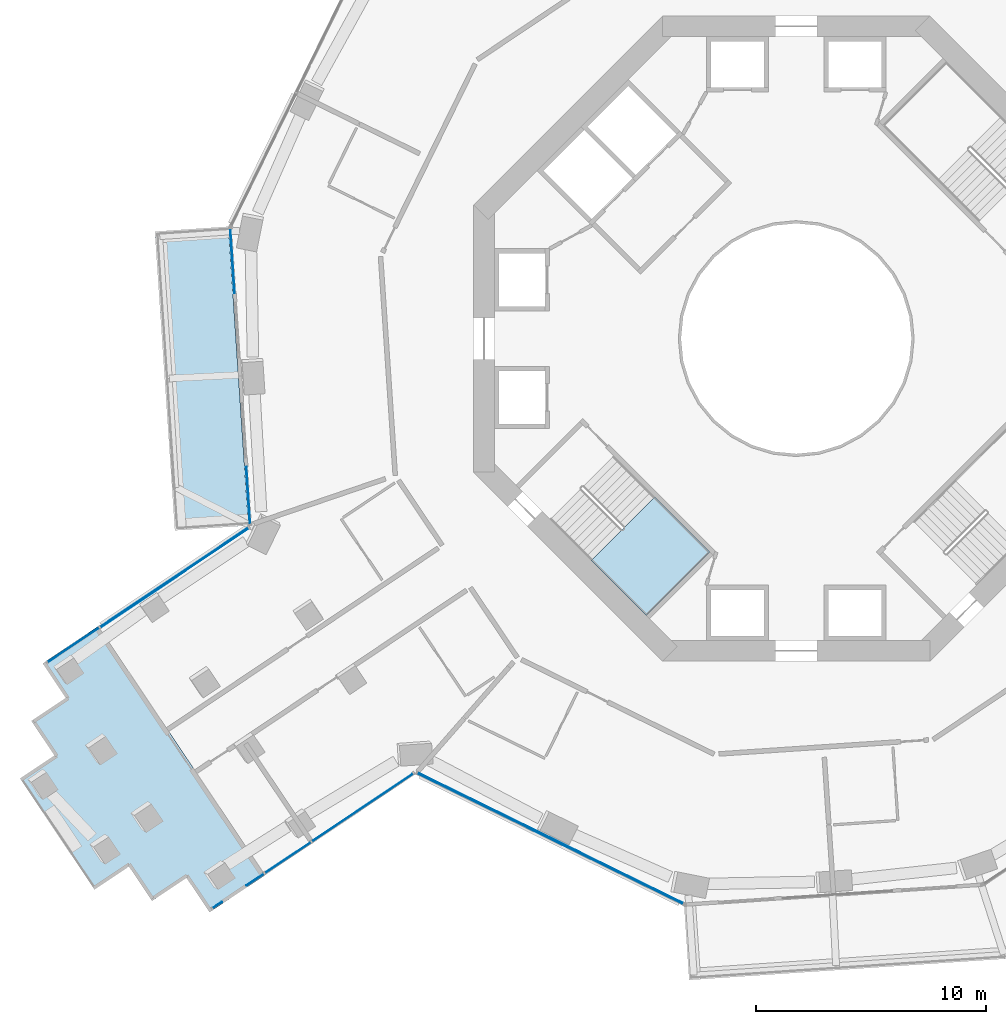
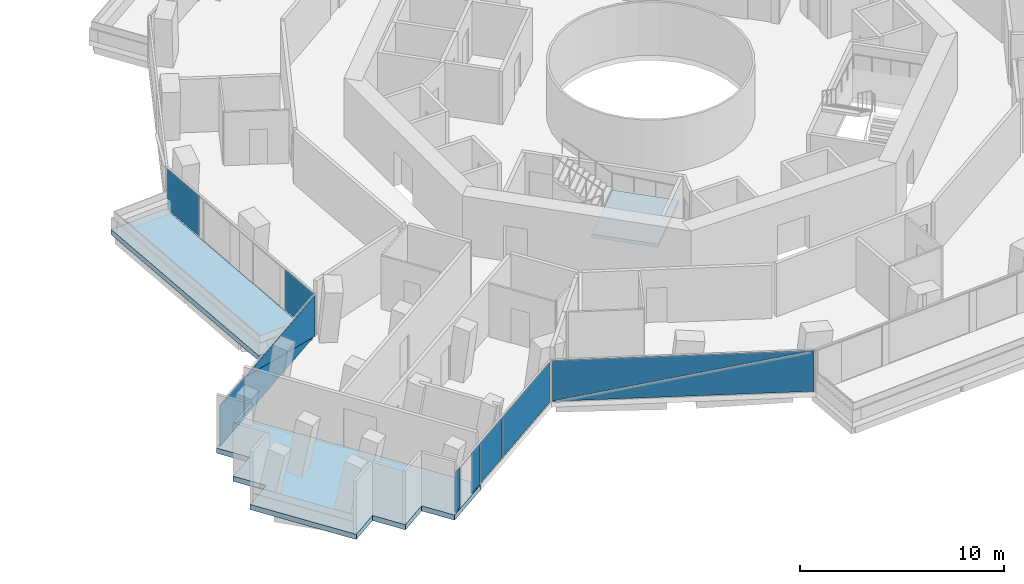
# One storey, part 13 of 25: 11 plates, 3 slabs, 5 elements without a shape of their own.
"""IFC4 building model written with IfcOpenShell, lengths in metres."""

from ifc_helpers import new_model, si_unit, direction, frame, origin, origin_2d, place, context, subcontext, project, spatial, polyline, rectangle, outline, extrude, material, layer, layer_set, type_object, element, aggregate, save


model = new_model("IFC4")

# Units and contexts
model_context = context("Model", 3, precision=1e-05, world=origin(), true_north=direction((0.0, 1.0)))
body_context = subcontext(model_context, "Body", "Model", "MODEL_VIEW")
ifc_project = project(units=[si_unit("LENGTHUNIT", "METRE"), si_unit("AREAUNIT", "SQUARE_METRE"), si_unit("VOLUMEUNIT", "CUBIC_METRE"), si_unit("PLANEANGLEUNIT", "RADIAN"), si_unit("MASSUNIT", "GRAM", prefix="KILO")], contexts=[model_context])

# Site, building, storey
site_placement = place(None, origin())
site = spatial("IfcSite", under=ifc_project, at=site_placement, CompositionType="ELEMENT")
building_placement = place(site_placement, origin())
building = spatial("IfcBuilding", under=site, at=building_placement, Name="Verdalira Terraces Hotel", CompositionType="ELEMENT")
storey_placement = place(building_placement, frame((0.0, 0.0, 49.5)))
storey = spatial("IfcBuildingStorey", under=building, at=storey_placement, Name="L10", CompositionType="ELEMENT", Elevation=49.5)

# Slab
ifc_material_1 = material(Name="Precast concrete C40/50", Category="concrete")
ifc_layer_1 = layer(ifc_material_1, 0.31005859375)
ifc_layer_set_1 = layer_set([ifc_layer_1], Name="Balcony deck 310")
slab_type_1 = type_object("IfcSlabType", Name="Balcony deck 310", PredefinedType="FLOOR", material=ifc_layer_set_1)
slab_1_placement = place(storey_placement, frame((0.0, 0.0, -0.310059)))
element("IfcSlab", 1, at=slab_1_placement, inside=storey, type_object=slab_type_1, Name="Balcony deck", PredefinedType="FLOOR", context=body_context, shape_type="SweptSolid", body=[
    extrude(outline(polyline([(-26.961426, -8.324219), (-23.768555, -8.110107), (-24.63916, 4.86084), (-27.832031, 4.646484), (-26.961426, -8.324219)])), origin(), (0.0, 0.0, 1.0), 0.310059),
])

# Curtain wall, plates
ifc_material_2 = material(Name="Clear glass", Category="glass")
ifc_layer_2 = layer(ifc_material_2, 0.14990234375)
ifc_layer_set_2 = layer_set([ifc_layer_2], Name="CW1 curtain wall")
curtain_wall_type_1 = type_object("IfcCurtainWallType", Name="CW1 curtain wall", PredefinedType="NOTDEFINED", material=ifc_layer_set_2)
curtain_wall_1_placement = place(storey_placement, origin())
curtain_wall_1 = element("IfcCurtainWall", 2, at=curtain_wall_1_placement, inside=storey, type_object=curtain_wall_type_1, Name="CW1 curtain wall L10 edge 13", PredefinedType="NOTDEFINED")
ifc_material_3 = material(Name="Clear glass", Category="glass")
ifc_layer_3 = layer(ifc_material_3, 0.028076171875)
ifc_layer_set_3 = layer_set([ifc_layer_3], Name="CW1 glass unit 28")
plate_type_1 = type_object("IfcPlateType", Name="CW1 glass unit 28", PredefinedType="CURTAIN_PANEL", material=ifc_layer_set_3)
plate_1_placement = place(storey_placement, frame((-24.463867, 3.369141, 0.0), z_axis=(0.0, 0.0, 1.0), x_axis=(0.066970481, -0.997754957, 0.0)))
plate_1 = element("IfcPlate", 3, at=plate_1_placement, type_object=plate_type_1, Name="CW1 glass unit", PredefinedType="CURTAIN_PANEL", context=body_context, shape_type="SweptSolid", body=[
    extrude(rectangle(XDim=2.799805, YDim=0.028076, at=origin_2d()), origin(), (0.0, 0.0, 1.0), 2.425049),
])
plate_2_placement = place(storey_placement, frame((-23.780762, -6.808105, 0.0), z_axis=(0.0, 0.0, 1.0), x_axis=(0.066970481, -0.997754957, 0.0)))
plate_2 = element("IfcPlate", 4, at=plate_2_placement, type_object=plate_type_1, Name="CW1 glass unit", PredefinedType="CURTAIN_PANEL", context=body_context, shape_type="SweptSolid", body=[
    extrude(rectangle(XDim=2.479492, YDim=0.028076, at=origin_2d()), origin(), (0.0, 0.0, 1.0), 2.425049),
])
aggregate(curtain_wall_1, [plate_1, plate_2])

curtain_wall_2_placement = place(storey_placement, origin())
curtain_wall_2 = element("IfcCurtainWall", 5, at=curtain_wall_2_placement, inside=storey, type_object=curtain_wall_type_1, Name="CW1 curtain wall L10 edge 25", PredefinedType="NOTDEFINED")
plate_3_placement = place(storey_placement, frame((-10.673828, -21.68457, 1.212402), z_axis=(-0.440879341, -0.89756638, 0.0), x_axis=(0.89756638, -0.440879341, 0.0)))
plate_3 = element("IfcPlate", 6, at=plate_3_placement, type_object=plate_type_1, Name="CW1 glass unit", PredefinedType="CURTAIN_PANEL", context=body_context, shape_type="SweptSolid", body=[
    extrude(outline(polyline([(-6.419922, -1.212402), (6.419922, -1.212402), (6.419922, 1.212402), (-6.419922, -1.212402)])), origin(), (0.0, 0.0, 1.0), 0.028076),
])
plate_4_placement = place(storey_placement, frame((-10.660889, -21.658691, 1.212402), z_axis=(-0.440879341, -0.89756638, 0.0), x_axis=(0.89756638, -0.440879341, 0.0)))
plate_4 = element("IfcPlate", 7, at=plate_4_placement, type_object=plate_type_1, Name="CW1 glass unit", PredefinedType="CURTAIN_PANEL", context=body_context, shape_type="SweptSolid", body=[
    extrude(outline(polyline([(-6.419922, -1.212402), (6.419922, 1.212402), (-6.419922, 1.212402), (-6.419922, -1.212402)])), origin(), (0.0, 0.0, 1.0), 0.028076),
])
aggregate(curtain_wall_2, [plate_3, plate_4])

ifc_material_4 = material(Name="Clear glass", Category="glass")
ifc_layer_4 = layer(ifc_material_4, 0.14990234375)
ifc_layer_set_4 = layer_set([ifc_layer_4], Name="CW2 curtain wall")
curtain_wall_type_2 = type_object("IfcCurtainWallType", Name="CW2 curtain wall", PredefinedType="NOTDEFINED", material=ifc_layer_set_4)
curtain_wall_3_placement = place(storey_placement, origin())
curtain_wall_3 = element("IfcCurtainWall", 8, at=curtain_wall_3_placement, inside=storey, type_object=curtain_wall_type_2, Name="CW2 curtain wall L10 edge 14", PredefinedType="NOTDEFINED")
ifc_material_5 = material(Name="Clear glass", Category="glass")
ifc_layer_5 = layer(ifc_material_5, 0.031982421875)
ifc_layer_set_5 = layer_set([ifc_layer_5], Name="CW2 glass unit 32")
plate_type_2 = type_object("IfcPlateType", Name="CW2 glass unit 32", PredefinedType="CURTAIN_PANEL", material=ifc_layer_set_5)
plate_5_placement = place(storey_placement, frame((-26.984131, -10.375244, 1.212402), z_axis=(-0.556875616, 0.830595899, 0.0), x_axis=(-0.830595899, -0.556875616, 0.0)))
plate_5 = element("IfcPlate", 9, at=plate_5_placement, type_object=plate_type_2, Name="CW2 glass unit", PredefinedType="CURTAIN_PANEL", context=body_context, shape_type="SweptSolid", body=[
    extrude(outline(polyline([(-3.862305, -1.212402), (3.862305, -1.212402), (3.862305, 1.212402), (-3.862305, -1.212402)])), origin(), (0.0, 0.0, 1.0), 0.031982),
])
plate_6_placement = place(storey_placement, frame((-26.965576, -10.402832, 1.212402), z_axis=(-0.556875616, 0.830595899, 0.0), x_axis=(-0.830595899, -0.556875616, 0.0)))
plate_6 = element("IfcPlate", 10, at=plate_6_placement, type_object=plate_type_2, Name="CW2 glass unit", PredefinedType="CURTAIN_PANEL", context=body_context, shape_type="SweptSolid", body=[
    extrude(outline(polyline([(-3.862305, -1.212402), (3.862305, 1.212402), (-3.862305, 1.212402), (-3.862305, -1.212402)])), origin(), (0.0, 0.0, 1.0), 0.031982),
])
plate_7_placement = place(storey_placement, frame((-31.365967, -13.293945, 0.0), z_axis=(0.0, 0.0, 1.0), x_axis=(-0.830595899, -0.556875616, 0.0)))
plate_7 = element("IfcPlate", 11, at=plate_7_placement, type_object=plate_type_2, Name="CW2 glass unit", PredefinedType="CURTAIN_PANEL", context=body_context, shape_type="SweptSolid", body=[
    extrude(rectangle(XDim=2.665039, YDim=0.031982, at=origin_2d()), origin(), (0.0, 0.0, 1.0), 2.425049),
])
aggregate(curtain_wall_3, [plate_5, plate_6, plate_7])

curtain_wall_4_placement = place(storey_placement, origin())
curtain_wall_4 = element("IfcCurtainWall", 12, at=curtain_wall_4_placement, inside=storey, type_object=curtain_wall_type_2, Name="CW2 curtain wall L10 edge 24", PredefinedType="NOTDEFINED")
plate_8_placement = place(storey_placement, frame((-25.117432, -24.575439, 0.0), z_axis=(0.0, 0.0, 1.0), x_axis=(0.830595899, 0.556875616, 0.0)))
plate_8 = element("IfcPlate", 13, at=plate_8_placement, type_object=plate_type_2, Name="CW2 glass unit", PredefinedType="CURTAIN_PANEL", context=body_context, shape_type="SweptSolid", body=[
    extrude(rectangle(XDim=0.47998, YDim=0.031982, at=origin_2d()), origin(), (0.0, 0.0, 1.0), 2.425049),
])
plate_9_placement = place(storey_placement, frame((-23.477783, -23.476318, 0.0), z_axis=(0.0, 0.0, 1.0), x_axis=(0.830595899, 0.556875616, 0.0)))
plate_9 = element("IfcPlate", 14, at=plate_9_placement, type_object=plate_type_2, Name="CW2 glass unit", PredefinedType="CURTAIN_PANEL", context=body_context, shape_type="SweptSolid", body=[
    extrude(rectangle(XDim=0.9021, YDim=0.031982, at=origin_2d()), origin(), (0.0, 0.0, 1.0), 2.425049),
])
plate_10_placement = place(storey_placement, frame((-22.054688, -22.521973, 0.0), z_axis=(0.0, 0.0, 1.0), x_axis=(0.830595899, 0.556875616, 0.0)))
plate_10 = element("IfcPlate", 15, at=plate_10_placement, type_object=plate_type_2, Name="CW2 glass unit", PredefinedType="CURTAIN_PANEL", context=body_context, shape_type="SweptSolid", body=[
    extrude(rectangle(XDim=2.384766, YDim=0.031982, at=origin_2d()), origin(), (0.0, 0.0, 1.0), 2.425049),
])
plate_11_placement = place(storey_placement, frame((-18.817627, -20.351807, 0.0), z_axis=(0.0, 0.0, 1.0), x_axis=(0.830595899, 0.556875616, 0.0)))
plate_11 = element("IfcPlate", 16, at=plate_11_placement, type_object=plate_type_2, Name="CW2 glass unit", PredefinedType="CURTAIN_PANEL", context=body_context, shape_type="SweptSolid", body=[
    extrude(rectangle(XDim=5.269775, YDim=0.031982, at=origin_2d()), origin(), (0.0, 0.0, 1.0), 2.425049),
])
aggregate(curtain_wall_4, [plate_8, plate_9, plate_10, plate_11])

# Stair, slab
ifc_material_6 = material(Name="Concrete C40", Category="concrete")
stair_type = type_object("IfcStairType", Name="Core stair 20 risers 1900 mm wide", PredefinedType="HALF_TURN_STAIR", material=ifc_material_6)
stair_placement = place(storey_placement, origin())
stair = element("IfcStair", 17, at=stair_placement, inside=storey, type_object=stair_type, Name="L10 Exit stair ST2", PredefinedType="HALF_TURN_STAIR")
ifc_material_7 = material(Name="Concrete C40", Category="concrete")
ifc_layer_6 = layer(ifc_material_7, 0.199951171875)
ifc_layer_set_6 = layer_set([ifc_layer_6], Name="Core stair landing 200 mm")
slab_type_2 = type_object("IfcSlabType", Name="Core stair landing 200 mm", PredefinedType="LANDING", material=ifc_layer_set_6)
slab_2_placement = place(storey_placement, frame((0.0, 0.0, 1.550049)))
slab_2 = element("IfcSlab", 18, at=slab_2_placement, type_object=slab_type_2, Name="ST2 landing 1", PredefinedType="LANDING", context=body_context, shape_type="SweptSolid", body=[
    extrude(outline(polyline([(-8.895752, -9.630371), (-6.505371, -12.020752), (-3.747559, -9.263184), (-6.137939, -6.872803), (-8.895752, -9.630371)])), origin(), (0.0, 0.0, 1.0), 0.199951),
])
aggregate(stair, [slab_2])

# Slab
ifc_material_8 = material(Name="Concrete C40", Category="concrete")
ifc_layer_7 = layer(ifc_material_8, 0.31005859375)
ifc_layer_set_7 = layer_set([ifc_layer_7], Name="Loggia floor deck 310 C40")
slab_type_3 = type_object("IfcSlabType", Name="Loggia floor deck 310 C40", PredefinedType="FLOOR", material=ifc_layer_set_7)
slab_3_placement = place(storey_placement, frame((0.0, 0.0, -0.310059)))
element("IfcSlab", 19, at=slab_3_placement, inside=storey, type_object=slab_type_3, Name="Loggia deck L10", PredefinedType="FLOOR", context=body_context, shape_type="SweptSolid", body=[
    extrude(outline(polyline([(-25.457764, -24.894043), (-23.049072, -23.279053), (-30.288574, -12.481201), (-32.697266, -14.096191), (-31.694824, -15.591309), (-33.189941, -16.59375), (-32.1875, -18.088867), (-33.682617, -19.091064), (-30.452637, -23.908691), (-28.95752, -22.90625), (-27.955322, -24.401367), (-26.460205, -23.398926), (-25.457764, -24.894043)])), origin(), (0.0, 0.0, 1.0), 0.310059),
])

save(model, "model.ifc")
